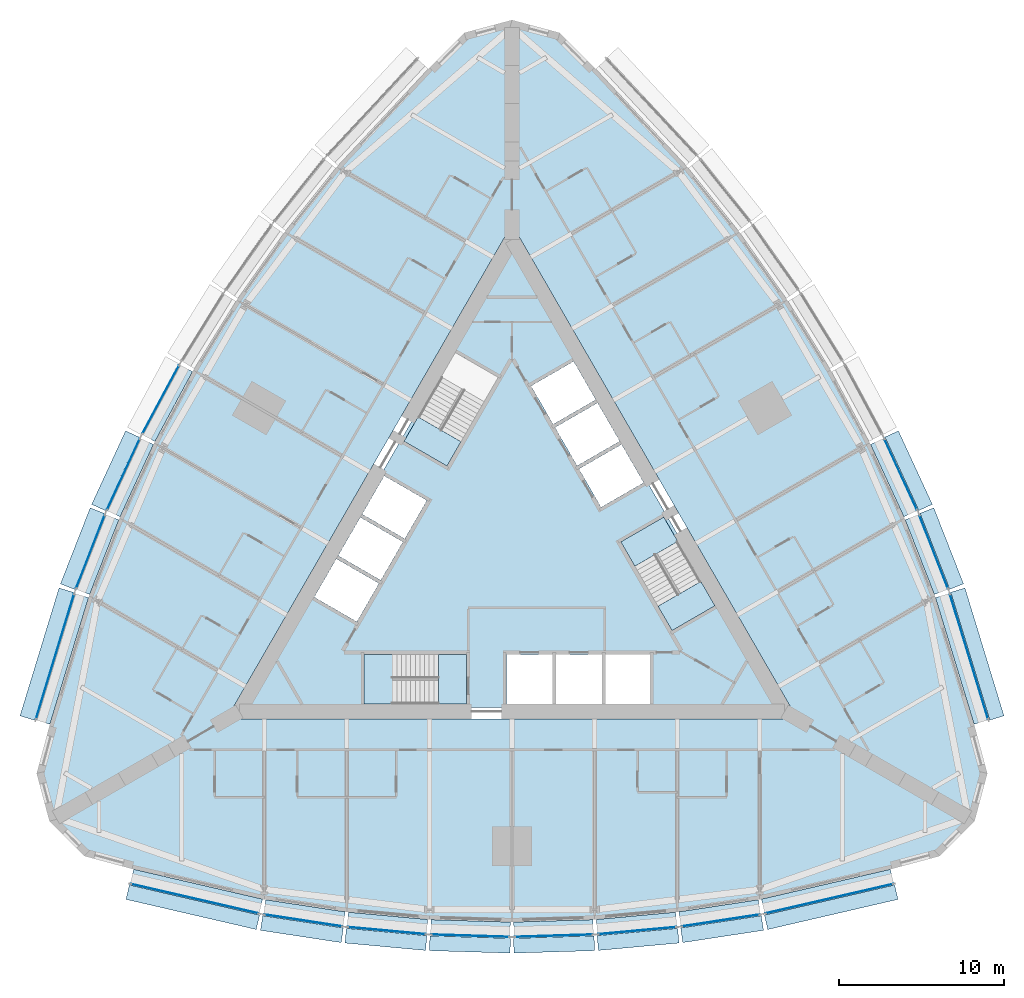
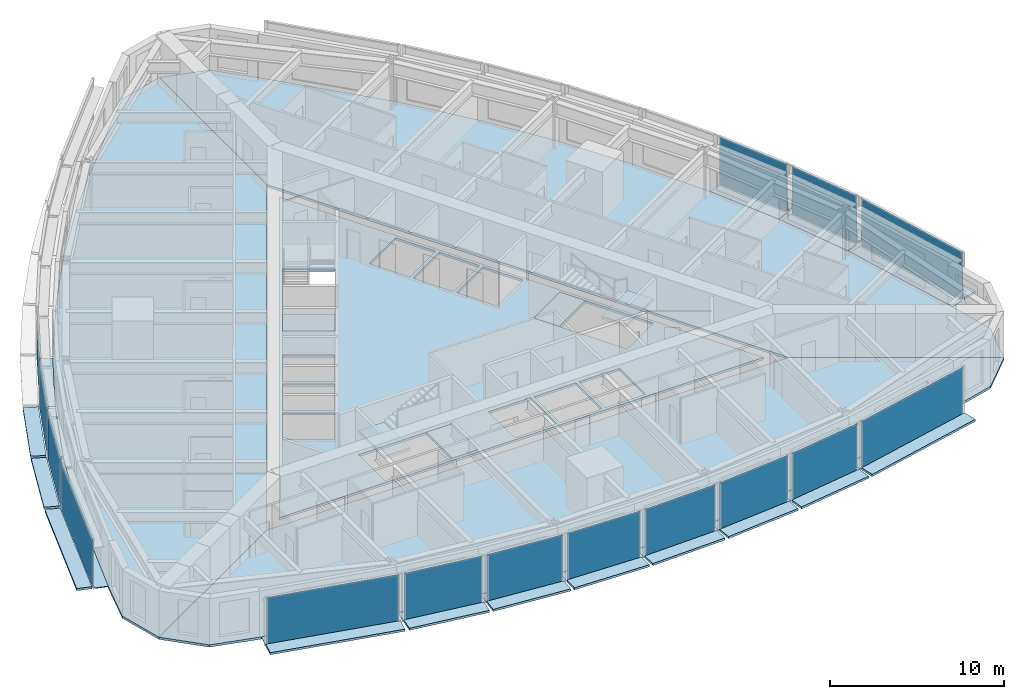
# One storey, part 6 of 14: 44 plates, 9 slabs, 18 elements without a shape of their own.
"""IFC4 building model written with IfcOpenShell, lengths in metres."""

from ifc_helpers import new_model, si_unit, direction, frame, origin, origin_2d, place, context, subcontext, project, spatial, polyline, rectangle, outline, extrude, material, layer, layer_set, type_object, element, aggregate, save


model = new_model("IFC4")

# Units and contexts
model_context = context("Model", 3, precision=1e-05, world=origin(), true_north=direction((0.0, 1.0)))
body_context = subcontext(model_context, "Body", "Model", "MODEL_VIEW")
ifc_project = project(units=[si_unit("LENGTHUNIT", "METRE"), si_unit("AREAUNIT", "SQUARE_METRE"), si_unit("VOLUMEUNIT", "CUBIC_METRE"), si_unit("PLANEANGLEUNIT", "RADIAN"), si_unit("MASSUNIT", "GRAM", prefix="KILO")], contexts=[model_context])

# Site, building, storey
site_placement = place(None, origin())
site = spatial("IfcSite", under=ifc_project, at=site_placement, CompositionType="ELEMENT")
building_placement = place(site_placement, origin())
building = spatial("IfcBuilding", under=site, at=building_placement, Name="Trikona Tower", CompositionType="ELEMENT")
storey_placement = place(building_placement, frame((0.0, 0.0, 38.699951171875)))
storey = spatial("IfcBuildingStorey", under=building, at=storey_placement, Name="L08", CompositionType="ELEMENT", Elevation=38.699951171875)

# Plates
ifc_material_1 = material(Name="Aluminium bar grating", Category="aluminium")
ifc_layer_1 = layer(ifc_material_1, 0.050048828125)
ifc_layer_set_1 = layer_set([ifc_layer_1], Name="Cavity catwalk grating")
plate_type_1 = type_object("IfcPlateType", Name="Cavity catwalk grating", PredefinedType="USERDEFINED", material=ifc_layer_set_1)
plate_1_placement = place(storey_placement, frame((-19.09228515625, -20.377197265625, -0.0498046875), z_axis=(0.0, 0.0, 1.0), x_axis=(0.974277718622, -0.225350675607, 0.0)))
element("IfcPlate", 1, at=plate_1_placement, inside=storey, type_object=plate_type_1, Name="Cavity catwalk L08-00", ObjectType="CATWALK GRATING", PredefinedType="USERDEFINED", context=body_context, shape_type="SweptSolid", body=[
    extrude(rectangle(XDim=8.01123046875, YDim=0.820068359375, at=origin_2d()), origin(), (0.0, 0.0, 1.0), 0.050048828125),
])
plate_2_placement = place(storey_placement, frame((-12.561767578125, -21.688720703125, -0.0498046875), z_axis=(0.0, 0.0, 1.0), x_axis=(0.988617896768, -0.150448177754, 0.0)))
element("IfcPlate", 2, at=plate_2_placement, inside=storey, type_object=plate_type_1, Name="Cavity catwalk L08-01", ObjectType="CATWALK GRATING", PredefinedType="USERDEFINED", context=body_context, shape_type="SweptSolid", body=[
    extrude(rectangle(XDim=4.857666015625, YDim=0.820068359375, at=origin_2d()), origin(), (0.0, 0.0, 1.0), 0.050048828125),
])
plate_3_placement = place(storey_placement, frame((-7.537353515625, -22.300537109375, -0.0498046875), z_axis=(0.0, 0.0, 1.0), x_axis=(0.995858098326, -0.090921108655, 0.0)))
element("IfcPlate", 3, at=plate_3_placement, inside=storey, type_object=plate_type_1, Name="Cavity catwalk L08-02", ObjectType="CATWALK GRATING", PredefinedType="USERDEFINED", context=body_context, shape_type="SweptSolid", body=[
    extrude(rectangle(XDim=4.82080078125, YDim=0.820068359375, at=origin_2d()), origin(), (0.0, 0.0, 1.0), 0.050048828125),
])
for number, where, z_axis, x_axis, name in (
    (4, (-2.512451171875, -22.606201171875, -0.0498046875), (0.0, 0.0, 1.0), (0.999537048889, -0.030425119525, 0.0), "Cavity catwalk L08-03"),
    (5, (2.512451171875, -22.606201171875, -0.0498046875), (0.0, 0.0, 1.0), (0.999537048889, 0.030425119525, 0.0), "Cavity catwalk L08-04"),
):
    element("IfcPlate", number, at=place(storey_placement, frame(where, z_axis=z_axis, x_axis=x_axis)), inside=storey, type_object=plate_type_1, Name=name, ObjectType="CATWALK GRATING", PredefinedType="USERDEFINED", context=body_context, shape_type="SweptSolid", body=[
        extrude(rectangle(XDim=4.80224609375, YDim=0.820068359375, at=origin_2d()), origin(), (0.0, 0.0, 1.0), 0.050048828125),
    ])
plate_4_placement = place(storey_placement, frame((7.537353515625, -22.300537109375, -0.0498046875), z_axis=(0.0, 0.0, 1.0), x_axis=(0.995858098326, 0.090921108655, 0.0)))
element("IfcPlate", 6, at=plate_4_placement, inside=storey, type_object=plate_type_1, Name="Cavity catwalk L08-05", ObjectType="CATWALK GRATING", PredefinedType="USERDEFINED", context=body_context, shape_type="SweptSolid", body=[
    extrude(rectangle(XDim=4.82080078125, YDim=0.820068359375, at=origin_2d()), origin(), (0.0, 0.0, 1.0), 0.050048828125),
])
plate_5_placement = place(storey_placement, frame((12.561767578125, -21.688720703125, -0.0498046875), z_axis=(0.0, 0.0, 1.0), x_axis=(0.988617896768, 0.150448177754, 0.0)))
element("IfcPlate", 7, at=plate_5_placement, inside=storey, type_object=plate_type_1, Name="Cavity catwalk L08-06", ObjectType="CATWALK GRATING", PredefinedType="USERDEFINED", context=body_context, shape_type="SweptSolid", body=[
    extrude(rectangle(XDim=4.857666015625, YDim=0.820068359375, at=origin_2d()), origin(), (0.0, 0.0, 1.0), 0.050048828125),
])
for number, where, z_axis, x_axis, name in (
    (8, (19.09228515625, -20.377197265625, -0.0498046875), (0.0, 0.0, 1.0), (0.974277718622, 0.225350675607, 0.0), "Cavity catwalk L08-07"),
    (9, (27.193359375, -6.345947265625, -0.0498046875), (0.0, 0.0, 1.0), (-0.291979449475, 0.956424592471, 0.0), "Cavity catwalk L08-12"),
):
    element("IfcPlate", number, at=place(storey_placement, frame(where, z_axis=z_axis, x_axis=x_axis)), inside=storey, type_object=plate_type_1, Name=name, ObjectType="CATWALK GRATING", PredefinedType="USERDEFINED", context=body_context, shape_type="SweptSolid", body=[
        extrude(rectangle(XDim=8.01123046875, YDim=0.820068359375, at=origin_2d()), origin(), (0.0, 0.0, 1.0), 0.050048828125),
    ])
plate_6_placement = place(storey_placement, frame((25.06396484375, -0.034423828125, -0.0498046875), z_axis=(0.0, 0.0, 1.0), x_axis=(-0.364008876551, 0.931395478726, 0.0)))
element("IfcPlate", 10, at=plate_6_placement, inside=storey, type_object=plate_type_1, Name="Cavity catwalk L08-13", ObjectType="CATWALK GRATING", PredefinedType="USERDEFINED", context=body_context, shape_type="SweptSolid", body=[
    extrude(rectangle(XDim=4.857666015625, YDim=0.820068359375, at=origin_2d()), origin(), (0.0, 0.0, 1.0), 0.050048828125),
])
plate_7_placement = place(storey_placement, frame((23.081298828125, 4.622802734375, -0.0498046875), z_axis=(0.0, 0.0, 1.0), x_axis=(-0.41919381307, 0.907896771161, 0.0)))
element("IfcPlate", 11, at=plate_7_placement, inside=storey, type_object=plate_type_1, Name="Cavity catwalk L08-14", ObjectType="CATWALK GRATING", PredefinedType="USERDEFINED", context=body_context, shape_type="SweptSolid", body=[
    extrude(rectangle(XDim=4.82080078125, YDim=0.820068359375, at=origin_2d()), origin(), (0.0, 0.0, 1.0), 0.050048828125),
])
plate_8_placement = place(storey_placement, frame((-20.833740234375, 9.127197265625, -0.0498046875), z_axis=(0.0, 0.0, 1.0), x_axis=(-0.473422672721, -0.880835383572, 0.0)))
element("IfcPlate", 12, at=plate_8_placement, inside=storey, type_object=plate_type_1, Name="Cavity catwalk L08-28", ObjectType="CATWALK GRATING", PredefinedType="USERDEFINED", context=body_context, shape_type="SweptSolid", body=[
    extrude(rectangle(XDim=4.80224609375, YDim=0.820068359375, at=origin_2d()), origin(), (0.0, 0.0, 1.0), 0.050048828125),
])
plate_9_placement = place(storey_placement, frame((-23.081298828125, 4.622802734375, -0.0498046875), z_axis=(0.0, 0.0, 1.0), x_axis=(-0.41919381307, -0.907896771161, 0.0)))
element("IfcPlate", 13, at=plate_9_placement, inside=storey, type_object=plate_type_1, Name="Cavity catwalk L08-29", ObjectType="CATWALK GRATING", PredefinedType="USERDEFINED", context=body_context, shape_type="SweptSolid", body=[
    extrude(rectangle(XDim=4.82080078125, YDim=0.820068359375, at=origin_2d()), origin(), (0.0, 0.0, 1.0), 0.050048828125),
])
plate_10_placement = place(storey_placement, frame((-25.06396484375, -0.034423828125, -0.0498046875), z_axis=(0.0, 0.0, 1.0), x_axis=(-0.364008876551, -0.931395478726, 0.0)))
element("IfcPlate", 14, at=plate_10_placement, inside=storey, type_object=plate_type_1, Name="Cavity catwalk L08-30", ObjectType="CATWALK GRATING", PredefinedType="USERDEFINED", context=body_context, shape_type="SweptSolid", body=[
    extrude(rectangle(XDim=4.857666015625, YDim=0.820068359375, at=origin_2d()), origin(), (0.0, 0.0, 1.0), 0.050048828125),
])
plate_11_placement = place(storey_placement, frame((-27.193359375, -6.345947265625, -0.0498046875), z_axis=(0.0, 0.0, 1.0), x_axis=(-0.291979449475, -0.956424592471, 0.0)))
element("IfcPlate", 15, at=plate_11_placement, inside=storey, type_object=plate_type_1, Name="Cavity catwalk L08-31", ObjectType="CATWALK GRATING", PredefinedType="USERDEFINED", context=body_context, shape_type="SweptSolid", body=[
    extrude(rectangle(XDim=8.01123046875, YDim=0.820068359375, at=origin_2d()), origin(), (0.0, 0.0, 1.0), 0.050048828125),
])

# Slabs
ifc_material_2 = material(Name="Concrete f'c 5000 psi lightweight on composite steel deck", Category="concrete")
ifc_layer_2 = layer(ifc_material_2, 0.1650390625)
ifc_layer_set_2 = layer_set([ifc_layer_2], Name="Composite floor slab 165")
slab_type_1 = type_object("IfcSlabType", Name="Composite floor slab 165", PredefinedType="FLOOR", material=ifc_layer_set_2)
slab_1_placement = place(storey_placement, frame((0.0, 0.0, -0.1650390625)))
element("IfcSlab", 16, at=slab_1_placement, inside=storey, type_object=slab_type_1, Name="Floor slab L08 core", PredefinedType="FLOOR", context=body_context, shape_type="SweptSolid", body=[
    extrude(outline(polyline([(-16.06689453125, -9.2763671875), (16.06689453125, -9.2763671875), (0.0, 18.552490234375), (-16.06689453125, -9.2763671875)]), holes=[polyline([(12.285400390625, -3.126220703125), (9.185302734375, 2.2431640625), (6.587158203125, 0.7431640625), (9.687255859375, -4.626220703125), (12.285400390625, -3.126220703125)]), polyline([(8.340087890625, -9.06640625), (8.340087890625, -6.086181640625), (5.659912109375, -6.086181640625), (5.659912109375, -9.06640625), (8.340087890625, -9.06640625)]), polyline([(5.390869140625, 2.835205078125), (7.9716796875, 4.3251953125), (6.631591796875, 6.646240234375), (4.05078125, 5.15625), (5.390869140625, 2.835205078125)]), polyline([(2.600830078125, 7.667724609375), (3.94091796875, 5.3466796875), (6.521484375, 6.8369140625), (5.181640625, 9.15771484375), (2.600830078125, 7.667724609375)]), polyline([(5.43994140625, -6.086181640625), (2.659912109375, -6.086181640625), (2.659912109375, -9.06640625), (5.43994140625, -9.06640625), (5.43994140625, -6.086181640625)]), polyline([(3.731689453125, 11.669189453125), (1.15087890625, 10.17919921875), (2.490966796875, 7.858154296875), (5.071533203125, 9.34814453125), (3.731689453125, 11.669189453125)]), polyline([(-0.340087890625, -6.086181640625), (-0.340087890625, -9.06640625), (2.43994140625, -9.06640625), (2.43994140625, -6.086181640625), (-0.340087890625, -6.086181640625)]), polyline([(-3.435302734375, 12.202392578125), (-6.535400390625, 6.8330078125), (-3.937255859375, 5.3330078125), (-0.837158203125, 10.702392578125), (-3.435302734375, 12.202392578125)]), polyline([(-8.949951171875, -9.076416015625), (-2.75, -9.076416015625), (-2.75, -6.076416015625), (-8.949951171875, -6.076416015625), (-8.949951171875, -9.076416015625)]), polyline([(-5.15087890625, 3.2509765625), (-7.731689453125, 4.740966796875), (-9.071533203125, 2.419921875), (-6.490966796875, 0.929931640625), (-5.15087890625, 3.2509765625)]), polyline([(-7.94091796875, -1.581298828125), (-6.600830078125, 0.739501953125), (-9.181640625, 2.2294921875), (-10.521484375, -0.09130859375), (-7.94091796875, -1.581298828125)]), polyline([(-11.9716796875, -2.602783203125), (-9.390869140625, -4.093017578125), (-8.05078125, -1.77197265625), (-10.631591796875, -0.281982421875), (-11.9716796875, -2.602783203125)])]), origin(), (0.0, 0.0, 1.0), 0.1650390625),
])
slab_2_placement = place(storey_placement, frame((0.0, 0.0, -0.1650390625)))
element("IfcSlab", 17, at=slab_2_placement, inside=storey, type_object=slab_type_1, Name="Floor slab L08 south", PredefinedType="FLOOR", context=body_context, shape_type="SweptSolid", body=[
    extrude(outline(polyline([(25.88671875, -18.279052734375), (28.0, -16.165771484375), (17.279296875, -9.976318359375), (-17.279296875, -9.976318359375), (-28.0, -16.165771484375), (-25.88671875, -18.279052734375), (-23.0, -19.052490234375), (-15.0, -20.903076171875), (-10.0, -21.663818359375), (-5.0, -22.120361328125), (0.0, -22.272705078125), (5.0, -22.120361328125), (10.0, -21.663818359375), (15.0, -20.903076171875), (23.0, -19.052490234375), (25.88671875, -18.279052734375)])), origin(), (0.0, 0.0, 1.0), 0.1650390625),
])
slab_3_placement = place(storey_placement, frame((0.0, 0.0, -0.1650390625)))
element("IfcSlab", 18, at=slab_3_placement, inside=storey, type_object=slab_type_1, Name="Floor slab L08 north-east", PredefinedType="FLOOR", context=body_context, shape_type="SweptSolid", body=[
    extrude(outline(polyline([(2.88671875, 31.55810546875), (0.0, 32.33154296875), (0.0, 19.95263671875), (17.279296875, -9.976318359375), (28.0, -16.165771484375), (28.7734375, -13.279052734375), (28.0, -10.392333984375), (25.6025390625, -2.538818359375), (23.761474609375, 2.171630859375), (21.65673828125, 6.72998046875), (19.28857421875, 11.13623046875), (16.65673828125, 15.390380859375), (13.761474609375, 19.4921875), (10.6025390625, 23.44189453125), (5.0, 29.44482421875), (2.88671875, 31.55810546875)])), origin(), (0.0, 0.0, 1.0), 0.1650390625),
])
slab_4_placement = place(storey_placement, frame((0.0, 0.0, -0.1650390625)))
element("IfcSlab", 19, at=slab_4_placement, inside=storey, type_object=slab_type_1, Name="Floor slab L08 north-west", PredefinedType="FLOOR", context=body_context, shape_type="SweptSolid", body=[
    extrude(outline(polyline([(0.0, 19.95263671875), (0.0, 32.33154296875), (-2.88671875, 31.55810546875), (-5.0, 29.44482421875), (-10.6025390625, 23.44189453125), (-13.761474609375, 19.4921875), (-16.65673828125, 15.390380859375), (-19.28857421875, 11.13623046875), (-21.65673828125, 6.72998046875), (-23.761474609375, 2.171630859375), (-25.6025390625, -2.538818359375), (-28.0, -10.392333984375), (-28.7734375, -13.279052734375), (-28.0, -16.165771484375), (-17.279296875, -9.976318359375), (0.0, 19.95263671875)])), origin(), (0.0, 0.0, 1.0), 0.1650390625),
])

# Curtain wall, plate
ifc_material_3 = material(Name="Aluminium curtain wall system", Category="aluminium")
curtain_wall_type = type_object("IfcCurtainWallType", Name="Curtain wall DS1", PredefinedType="NOTDEFINED", material=ifc_material_3)
curtain_wall_1_placement = place(storey_placement, origin())
curtain_wall_1 = element("IfcCurtainWall", 20, at=curtain_wall_1_placement, inside=storey, type_object=curtain_wall_type, Name="Curtain wall DS1 L08", PredefinedType="NOTDEFINED")
ifc_material_4 = material(Name="Laminated clear glass", Category="glass")
ifc_layer_3 = layer(ifc_material_4, 0.028076171875)
ifc_layer_set_3 = layer_set([ifc_layer_3], Name="Glass panel DS1")
plate_type_2 = type_object("IfcPlateType", Name="Glass panel DS1", PredefinedType="CURTAIN_PANEL", material=ifc_layer_set_3)
plate_12_placement = place(storey_placement, frame((-19.202880859375, -20.854736328125, 0.0), z_axis=(0.0, 0.0, 1.0), x_axis=(0.974279427173, -0.225343288756, 0.0)))
plate_12 = element("IfcPlate", 21, at=plate_12_placement, type_object=plate_type_2, Name="CW-DS1 panel 1.1", PredefinedType="CURTAIN_PANEL", context=body_context, shape_type="SweptSolid", body=[
    extrude(rectangle(XDim=7.93115234375, YDim=0.028076171875, at=origin_2d()), origin(), (0.0, 0.0, 1.0), 3.320068359375),
])
aggregate(curtain_wall_1, [plate_12])

curtain_wall_2_placement = place(storey_placement, origin())
curtain_wall_2 = element("IfcCurtainWall", 22, at=curtain_wall_2_placement, inside=storey, type_object=curtain_wall_type, Name="Curtain wall DS1 L08", PredefinedType="NOTDEFINED")
plate_13_placement = place(storey_placement, frame((-12.635498046875, -22.173095703125, 0.0), z_axis=(0.0, 0.0, 1.0), x_axis=(0.988619492156, -0.150437693845, 0.0)))
plate_13 = element("IfcPlate", 23, at=plate_13_placement, type_object=plate_type_2, Name="CW-DS1 panel 1.1", PredefinedType="CURTAIN_PANEL", context=body_context, shape_type="SweptSolid", body=[
    extrude(rectangle(XDim=4.777587890625, YDim=0.028076171875, at=origin_2d()), origin(), (0.0, 0.0, 1.0), 3.320068359375),
])
aggregate(curtain_wall_2, [plate_13])

curtain_wall_3_placement = place(storey_placement, origin())
curtain_wall_3 = element("IfcCurtainWall", 24, at=curtain_wall_3_placement, inside=storey, type_object=curtain_wall_type, Name="Curtain wall DS1 L08", PredefinedType="NOTDEFINED")
plate_14_placement = place(storey_placement, frame((-7.581787109375, -22.788330078125, 0.0), z_axis=(0.0, 0.0, 1.0), x_axis=(0.995857840485, -0.090923932737, 0.0)))
plate_14 = element("IfcPlate", 25, at=plate_14_placement, type_object=plate_type_2, Name="CW-DS1 panel 1.1", PredefinedType="CURTAIN_PANEL", context=body_context, shape_type="SweptSolid", body=[
    extrude(rectangle(XDim=4.74072265625, YDim=0.028076171875, at=origin_2d()), origin(), (0.0, 0.0, 1.0), 3.320068359375),
])
aggregate(curtain_wall_3, [plate_14])

curtain_wall_4_placement = place(storey_placement, origin())
curtain_wall_4 = element("IfcCurtainWall", 26, at=curtain_wall_4_placement, inside=storey, type_object=curtain_wall_type, Name="Curtain wall DS1 L08", PredefinedType="NOTDEFINED")
plate_15_placement = place(storey_placement, frame((-2.52734375, -23.09619140625, 0.0), z_axis=(0.0, 0.0, 1.0), x_axis=(0.999536695965, -0.030436711692, 0.0)))
plate_15 = element("IfcPlate", 27, at=plate_15_placement, type_object=plate_type_2, Name="CW-DS1 panel 1.1", PredefinedType="CURTAIN_PANEL", context=body_context, shape_type="SweptSolid", body=[
    extrude(rectangle(XDim=4.72216796875, YDim=0.028076171875, at=origin_2d()), origin(), (0.0, 0.0, 1.0), 3.320068359375),
])
aggregate(curtain_wall_4, [plate_15])

curtain_wall_5_placement = place(storey_placement, origin())
curtain_wall_5 = element("IfcCurtainWall", 28, at=curtain_wall_5_placement, inside=storey, type_object=curtain_wall_type, Name="Curtain wall DS1 L08", PredefinedType="NOTDEFINED")
plate_16_placement = place(storey_placement, frame((2.52734375, -23.09619140625, 0.0), z_axis=(0.0, 0.0, 1.0), x_axis=(0.999536695965, 0.030436711692, 0.0)))
plate_16 = element("IfcPlate", 29, at=plate_16_placement, type_object=plate_type_2, Name="CW-DS1 panel 1.1", PredefinedType="CURTAIN_PANEL", context=body_context, shape_type="SweptSolid", body=[
    extrude(rectangle(XDim=4.72216796875, YDim=0.028076171875, at=origin_2d()), origin(), (0.0, 0.0, 1.0), 3.320068359375),
])
aggregate(curtain_wall_5, [plate_16])

curtain_wall_6_placement = place(storey_placement, origin())
curtain_wall_6 = element("IfcCurtainWall", 30, at=curtain_wall_6_placement, inside=storey, type_object=curtain_wall_type, Name="Curtain wall DS1 L08", PredefinedType="NOTDEFINED")
plate_17_placement = place(storey_placement, frame((7.581787109375, -22.788330078125, 0.0), z_axis=(0.0, 0.0, 1.0), x_axis=(0.995857840485, 0.090923932737, 0.0)))
plate_17 = element("IfcPlate", 31, at=plate_17_placement, type_object=plate_type_2, Name="CW-DS1 panel 1.1", PredefinedType="CURTAIN_PANEL", context=body_context, shape_type="SweptSolid", body=[
    extrude(rectangle(XDim=4.74072265625, YDim=0.028076171875, at=origin_2d()), origin(), (0.0, 0.0, 1.0), 3.320068359375),
])
aggregate(curtain_wall_6, [plate_17])

curtain_wall_7_placement = place(storey_placement, origin())
curtain_wall_7 = element("IfcCurtainWall", 32, at=curtain_wall_7_placement, inside=storey, type_object=curtain_wall_type, Name="Curtain wall DS1 L08", PredefinedType="NOTDEFINED")
plate_18_placement = place(storey_placement, frame((12.635498046875, -22.173095703125, 0.0), z_axis=(0.0, 0.0, 1.0), x_axis=(0.988619492156, 0.150437693845, 0.0)))
plate_18 = element("IfcPlate", 33, at=plate_18_placement, type_object=plate_type_2, Name="CW-DS1 panel 1.1", PredefinedType="CURTAIN_PANEL", context=body_context, shape_type="SweptSolid", body=[
    extrude(rectangle(XDim=4.777587890625, YDim=0.028076171875, at=origin_2d()), origin(), (0.0, 0.0, 1.0), 3.320068359375),
])
aggregate(curtain_wall_7, [plate_18])

curtain_wall_8_placement = place(storey_placement, origin())
curtain_wall_8 = element("IfcCurtainWall", 34, at=curtain_wall_8_placement, inside=storey, type_object=curtain_wall_type, Name="Curtain wall DS1 L08", PredefinedType="NOTDEFINED")
plate_19_placement = place(storey_placement, frame((19.202880859375, -20.854736328125, 0.0), z_axis=(0.0, 0.0, 1.0), x_axis=(0.974279427173, 0.225343288756, 0.0)))
plate_19 = element("IfcPlate", 35, at=plate_19_placement, type_object=plate_type_2, Name="CW-DS1 panel 1.1", PredefinedType="CURTAIN_PANEL", context=body_context, shape_type="SweptSolid", body=[
    extrude(rectangle(XDim=7.93115234375, YDim=0.028076171875, at=origin_2d()), origin(), (0.0, 0.0, 1.0), 3.320068359375),
])
aggregate(curtain_wall_8, [plate_19])

curtain_wall_9_placement = place(storey_placement, origin())
curtain_wall_9 = element("IfcCurtainWall", 36, at=curtain_wall_9_placement, inside=storey, type_object=curtain_wall_type, Name="Curtain wall DS1 L08", PredefinedType="NOTDEFINED")
plate_20_placement = place(storey_placement, frame((27.662109375, -6.202880859375, 0.0), z_axis=(0.0, 0.0, 1.0), x_axis=(-0.291984287868, 0.956423115383, 0.0)))
plate_20 = element("IfcPlate", 37, at=plate_20_placement, type_object=plate_type_2, Name="CW-DS1 panel 1.1", PredefinedType="CURTAIN_PANEL", context=body_context, shape_type="SweptSolid", body=[
    extrude(rectangle(XDim=7.93115234375, YDim=0.028076171875, at=origin_2d()), origin(), (0.0, 0.0, 1.0), 3.320068359375),
])
aggregate(curtain_wall_9, [plate_20])

curtain_wall_10_placement = place(storey_placement, origin())
curtain_wall_10 = element("IfcCurtainWall", 38, at=curtain_wall_10_placement, inside=storey, type_object=curtain_wall_type, Name="Curtain wall DS1 L08", PredefinedType="NOTDEFINED")
plate_21_placement = place(storey_placement, frame((25.520263671875, 0.14404296875, 0.0), z_axis=(0.0, 0.0, 1.0), x_axis=(-0.36400756977, 0.931395989443, 0.0)))
plate_21 = element("IfcPlate", 39, at=plate_21_placement, type_object=plate_type_2, Name="CW-DS1 panel 1.1", PredefinedType="CURTAIN_PANEL", context=body_context, shape_type="SweptSolid", body=[
    extrude(rectangle(XDim=4.777587890625, YDim=0.028076171875, at=origin_2d()), origin(), (0.0, 0.0, 1.0), 3.320068359375),
])
aggregate(curtain_wall_10, [plate_21])

curtain_wall_11_placement = place(storey_placement, origin())
curtain_wall_11 = element("IfcCurtainWall", 40, at=curtain_wall_11_placement, inside=storey, type_object=curtain_wall_type, Name="Curtain wall DS1 L08", PredefinedType="NOTDEFINED")
plate_22_placement = place(storey_placement, frame((23.5263671875, 4.828125, 0.0), z_axis=(0.0, 0.0, 1.0), x_axis=(-0.419190155352, 0.907898459992, 0.0)))
plate_22 = element("IfcPlate", 41, at=plate_22_placement, type_object=plate_type_2, Name="CW-DS1 panel 1.1", PredefinedType="CURTAIN_PANEL", context=body_context, shape_type="SweptSolid", body=[
    extrude(rectangle(XDim=4.740966796875, YDim=0.028076171875, at=origin_2d()), origin(), (0.0, 0.0, 1.0), 3.320068359375),
])
aggregate(curtain_wall_11, [plate_22])

curtain_wall_12_placement = place(storey_placement, origin())
curtain_wall_12 = element("IfcCurtainWall", 42, at=curtain_wall_12_placement, inside=storey, type_object=curtain_wall_type, Name="Curtain wall DS1 L08", PredefinedType="NOTDEFINED")
plate_23_placement = place(storey_placement, frame((-21.265380859375, 9.359130859375, 0.0), z_axis=(0.0, 0.0, 1.0), x_axis=(-0.473408350896, -0.880843080975, 0.0)))
plate_23 = element("IfcPlate", 43, at=plate_23_placement, type_object=plate_type_2, Name="CW-DS1 panel 1.1", PredefinedType="CURTAIN_PANEL", context=body_context, shape_type="SweptSolid", body=[
    extrude(rectangle(XDim=4.72216796875, YDim=0.028076171875, at=origin_2d()), origin(), (0.0, 0.0, 1.0), 3.320068359375),
])
aggregate(curtain_wall_12, [plate_23])

curtain_wall_13_placement = place(storey_placement, origin())
curtain_wall_13 = element("IfcCurtainWall", 44, at=curtain_wall_13_placement, inside=storey, type_object=curtain_wall_type, Name="Curtain wall DS1 L08", PredefinedType="NOTDEFINED")
plate_24_placement = place(storey_placement, frame((-23.5263671875, 4.828125, 0.0), z_axis=(0.0, 0.0, 1.0), x_axis=(-0.419190155352, -0.907898459992, 0.0)))
plate_24 = element("IfcPlate", 45, at=plate_24_placement, type_object=plate_type_2, Name="CW-DS1 panel 1.1", PredefinedType="CURTAIN_PANEL", context=body_context, shape_type="SweptSolid", body=[
    extrude(rectangle(XDim=4.740966796875, YDim=0.028076171875, at=origin_2d()), origin(), (0.0, 0.0, 1.0), 3.320068359375),
])
aggregate(curtain_wall_13, [plate_24])

curtain_wall_14_placement = place(storey_placement, origin())
curtain_wall_14 = element("IfcCurtainWall", 46, at=curtain_wall_14_placement, inside=storey, type_object=curtain_wall_type, Name="Curtain wall DS1 L08", PredefinedType="NOTDEFINED")
plate_25_placement = place(storey_placement, frame((-25.520263671875, 0.14404296875, 0.0), z_axis=(0.0, 0.0, 1.0), x_axis=(-0.36400756977, -0.931395989443, 0.0)))
plate_25 = element("IfcPlate", 47, at=plate_25_placement, type_object=plate_type_2, Name="CW-DS1 panel 1.1", PredefinedType="CURTAIN_PANEL", context=body_context, shape_type="SweptSolid", body=[
    extrude(rectangle(XDim=4.777587890625, YDim=0.028076171875, at=origin_2d()), origin(), (0.0, 0.0, 1.0), 3.320068359375),
])
aggregate(curtain_wall_14, [plate_25])

curtain_wall_15_placement = place(storey_placement, origin())
curtain_wall_15 = element("IfcCurtainWall", 48, at=curtain_wall_15_placement, inside=storey, type_object=curtain_wall_type, Name="Curtain wall DS1 L08", PredefinedType="NOTDEFINED")
plate_26_placement = place(storey_placement, frame((-27.662109375, -6.202880859375, 0.0), z_axis=(0.0, 0.0, 1.0), x_axis=(-0.291984287868, -0.956423115383, 0.0)))
plate_26 = element("IfcPlate", 49, at=plate_26_placement, type_object=plate_type_2, Name="CW-DS1 panel 1.1", PredefinedType="CURTAIN_PANEL", context=body_context, shape_type="SweptSolid", body=[
    extrude(rectangle(XDim=7.93115234375, YDim=0.028076171875, at=origin_2d()), origin(), (0.0, 0.0, 1.0), 3.320068359375),
])
aggregate(curtain_wall_15, [plate_26])

# Plates
ifc_material_5 = material(Name="Aluminium plate fin, pale anodised, on stainless steel outriggers", Category="steel")
ifc_layer_4 = layer(ifc_material_5, 0.14990234375)
ifc_layer_set_4 = layer_set([ifc_layer_4], Name="Outer skin fin 900")
plate_type_3 = type_object("IfcPlateType", Name="Outer skin fin 900", PredefinedType="USERDEFINED", material=ifc_layer_set_4)
plate_27_placement = place(storey_placement, frame((-19.322265625, -21.37109375, 0.0), z_axis=(0.0, 0.0, 1.0), x_axis=(0.974277718622, -0.225350675607, 0.0)))
element("IfcPlate", 50, at=plate_27_placement, inside=storey, type_object=plate_type_3, Name="Outer skin fin L08-00", ObjectType="FIN", PredefinedType="USERDEFINED", context=body_context, shape_type="SweptSolid", body=[
    extrude(rectangle(XDim=8.09130859375, YDim=0.89990234375, at=origin_2d()), origin(), (0.0, 0.0, 1.0), 0.14990234375),
])
plate_28_placement = place(storey_placement, frame((-12.715087890625, -22.697265625, 0.0), z_axis=(0.0, 0.0, 1.0), x_axis=(0.988617896768, -0.150448177754, 0.0)))
element("IfcPlate", 51, at=plate_28_placement, inside=storey, type_object=plate_type_3, Name="Outer skin fin L08-01", ObjectType="FIN", PredefinedType="USERDEFINED", context=body_context, shape_type="SweptSolid", body=[
    extrude(rectangle(XDim=4.9375, YDim=0.89990234375, at=origin_2d()), origin(), (0.0, 0.0, 1.0), 0.14990234375),
])
plate_29_placement = place(storey_placement, frame((-7.6298828125, -23.316162109375, 0.0), z_axis=(0.0, 0.0, 1.0), x_axis=(0.995858098326, -0.090921108655, 0.0)))
element("IfcPlate", 52, at=plate_29_placement, inside=storey, type_object=plate_type_3, Name="Outer skin fin L08-02", ObjectType="FIN", PredefinedType="USERDEFINED", context=body_context, shape_type="SweptSolid", body=[
    extrude(rectangle(XDim=4.90087890625, YDim=0.89990234375, at=origin_2d()), origin(), (0.0, 0.0, 1.0), 0.14990234375),
])
for number, where, z_axis, x_axis, name in (
    (53, (-2.54345703125, -23.625732421875, 0.0), (0.0, 0.0, 1.0), (0.999537048889, -0.030425119525, 0.0), "Outer skin fin L08-03"),
    (54, (2.54345703125, -23.625732421875, 0.0), (0.0, 0.0, 1.0), (0.999537048889, 0.030425119525, 0.0), "Outer skin fin L08-04"),
):
    element("IfcPlate", number, at=place(storey_placement, frame(where, z_axis=z_axis, x_axis=x_axis)), inside=storey, type_object=plate_type_3, Name=name, ObjectType="FIN", PredefinedType="USERDEFINED", context=body_context, shape_type="SweptSolid", body=[
        extrude(rectangle(XDim=4.88232421875, YDim=0.89990234375, at=origin_2d()), origin(), (0.0, 0.0, 1.0), 0.14990234375),
    ])
plate_30_placement = place(storey_placement, frame((7.6298828125, -23.316162109375, 0.0), z_axis=(0.0, 0.0, 1.0), x_axis=(0.995858098326, 0.090921108655, 0.0)))
element("IfcPlate", 55, at=plate_30_placement, inside=storey, type_object=plate_type_3, Name="Outer skin fin L08-05", ObjectType="FIN", PredefinedType="USERDEFINED", context=body_context, shape_type="SweptSolid", body=[
    extrude(rectangle(XDim=4.90087890625, YDim=0.89990234375, at=origin_2d()), origin(), (0.0, 0.0, 1.0), 0.14990234375),
])
plate_31_placement = place(storey_placement, frame((12.715087890625, -22.697265625, 0.0), z_axis=(0.0, 0.0, 1.0), x_axis=(0.988617896768, 0.150448177754, 0.0)))
element("IfcPlate", 56, at=plate_31_placement, inside=storey, type_object=plate_type_3, Name="Outer skin fin L08-06", ObjectType="FIN", PredefinedType="USERDEFINED", context=body_context, shape_type="SweptSolid", body=[
    extrude(rectangle(XDim=4.9375, YDim=0.89990234375, at=origin_2d()), origin(), (0.0, 0.0, 1.0), 0.14990234375),
])
for number, where, z_axis, x_axis, name in (
    (57, (19.322265625, -21.37109375, 0.0), (0.0, 0.0, 1.0), (0.974277718622, 0.225350675607, 0.0), "Outer skin fin L08-07"),
    (58, (28.1689453125, -6.048095703125, 0.0), (0.0, 0.0, 1.0), (-0.291979449475, 0.956424592471, 0.0), "Outer skin fin L08-12"),
):
    element("IfcPlate", number, at=place(storey_placement, frame(where, z_axis=z_axis, x_axis=x_axis)), inside=storey, type_object=plate_type_3, Name=name, ObjectType="FIN", PredefinedType="USERDEFINED", context=body_context, shape_type="SweptSolid", body=[
        extrude(rectangle(XDim=8.09130859375, YDim=0.89990234375, at=origin_2d()), origin(), (0.0, 0.0, 1.0), 0.14990234375),
    ])
plate_32_placement = place(storey_placement, frame((26.013916015625, 0.3369140625, 0.0), z_axis=(0.0, 0.0, 1.0), x_axis=(-0.364008876551, 0.931395478726, 0.0)))
element("IfcPlate", 59, at=plate_32_placement, inside=storey, type_object=plate_type_3, Name="Outer skin fin L08-13", ObjectType="FIN", PredefinedType="USERDEFINED", context=body_context, shape_type="SweptSolid", body=[
    extrude(rectangle(XDim=4.9375, YDim=0.89990234375, at=origin_2d()), origin(), (0.0, 0.0, 1.0), 0.14990234375),
])
for number, where, z_axis, x_axis, name in (
    (60, (24.00732421875, 5.05029296875, 0.0), (0.0, 0.0, 1.0), (-0.41919381307, 0.907896771161, 0.0), "Outer skin fin L08-14"),
    (61, (-24.00732421875, 5.05029296875, 0.0), (0.0, 0.0, 1.0), (-0.41919381307, -0.907896771161, 0.0), "Outer skin fin L08-29"),
):
    element("IfcPlate", number, at=place(storey_placement, frame(where, z_axis=z_axis, x_axis=x_axis)), inside=storey, type_object=plate_type_3, Name=name, ObjectType="FIN", PredefinedType="USERDEFINED", context=body_context, shape_type="SweptSolid", body=[
        extrude(rectangle(XDim=4.90087890625, YDim=0.89990234375, at=origin_2d()), origin(), (0.0, 0.0, 1.0), 0.14990234375),
    ])
plate_33_placement = place(storey_placement, frame((-26.013916015625, 0.3369140625, 0.0), z_axis=(0.0, 0.0, 1.0), x_axis=(-0.364008876551, -0.931395478726, 0.0)))
element("IfcPlate", 62, at=plate_33_placement, inside=storey, type_object=plate_type_3, Name="Outer skin fin L08-30", ObjectType="FIN", PredefinedType="USERDEFINED", context=body_context, shape_type="SweptSolid", body=[
    extrude(rectangle(XDim=4.9375, YDim=0.89990234375, at=origin_2d()), origin(), (0.0, 0.0, 1.0), 0.14990234375),
])
plate_34_placement = place(storey_placement, frame((-28.1689453125, -6.048095703125, 0.0), z_axis=(0.0, 0.0, 1.0), x_axis=(-0.291979449475, -0.956424592471, 0.0)))
element("IfcPlate", 63, at=plate_34_placement, inside=storey, type_object=plate_type_3, Name="Outer skin fin L08-31", ObjectType="FIN", PredefinedType="USERDEFINED", context=body_context, shape_type="SweptSolid", body=[
    extrude(rectangle(XDim=8.09130859375, YDim=0.89990234375, at=origin_2d()), origin(), (0.0, 0.0, 1.0), 0.14990234375),
])

# Stair, slabs
ifc_material_6 = material(Name="Concrete f'c 5000 psi", Category="concrete")
stair_type = type_object("IfcStairType", Name="Core stair", PredefinedType="HALF_TURN_STAIR", material=ifc_material_6)
stair_1_placement = place(storey_placement, origin())
stair_1 = element("IfcStair", 64, at=stair_1_placement, inside=storey, type_object=stair_type, Name="Stair A L08", PredefinedType="HALF_TURN_STAIR")
ifc_material_7 = material(Name="Concrete f'c 5000 psi", Category="concrete")
ifc_layer_5 = layer(ifc_material_7, 0.199951171875)
ifc_layer_set_5 = layer_set([ifc_layer_5], Name="Stair landing 200")
slab_type_2 = type_object("IfcSlabType", Name="Stair landing 200", PredefinedType="LANDING", material=ifc_layer_set_5)
slab_5_placement = place(storey_placement, frame((0.0, 0.0, -0.199951171875)))
slab_5 = element("IfcSlab", 65, at=slab_5_placement, type_object=slab_type_2, Name="ST-A landing 1", PredefinedType="LANDING", context=body_context, shape_type="SweptSolid", body=[
    extrude(outline(polyline([(-4.452880859375, -6.076416015625), (-2.75, -6.076416015625), (-2.75, -9.076416015625), (-4.452880859375, -9.076416015625), (-4.452880859375, -6.076416015625)])), origin(), (0.0, 0.0, 1.0), 0.199951171875),
])
slab_6_placement = place(storey_placement, frame((0.0, 0.0, 1.5)))
slab_6 = element("IfcSlab", 66, at=slab_6_placement, type_object=slab_type_2, Name="ST-A landing 2", PredefinedType="LANDING", context=body_context, shape_type="SweptSolid", body=[
    extrude(outline(polyline([(-8.949951171875, -6.076416015625), (-7.2470703125, -6.076416015625), (-7.2470703125, -9.076416015625), (-8.949951171875, -9.076416015625), (-8.949951171875, -6.076416015625)])), origin(), (0.0, 0.0, 1.0), 0.199951171875),
])
aggregate(stair_1, [slab_5, slab_6])

stair_2_placement = place(storey_placement, origin())
stair_2 = element("IfcStair", 67, at=stair_2_placement, inside=storey, type_object=stair_type, Name="Stair B L08", PredefinedType="HALF_TURN_STAIR")
slab_7_placement = place(storey_placement, frame((0.0, 0.0, -0.199951171875)))
slab_7 = element("IfcSlab", 68, at=slab_7_placement, type_object=slab_type_2, Name="ST-B landing 1", PredefinedType="LANDING", context=body_context, shape_type="SweptSolid", body=[
    extrude(outline(polyline([(7.438720703125, -0.731689453125), (6.587158203125, 0.7431640625), (9.185302734375, 2.2431640625), (10.036865234375, 0.768310546875), (7.438720703125, -0.731689453125)])), origin(), (0.0, 0.0, 1.0), 0.199951171875),
])
slab_8_placement = place(storey_placement, frame((0.0, 0.0, 1.5)))
slab_8 = element("IfcSlab", 69, at=slab_8_placement, type_object=slab_type_2, Name="ST-B landing 2", PredefinedType="LANDING", context=body_context, shape_type="SweptSolid", body=[
    extrude(outline(polyline([(9.687255859375, -4.626220703125), (8.835693359375, -3.1513671875), (11.433837890625, -1.6513671875), (12.285400390625, -3.126220703125), (9.687255859375, -4.626220703125)])), origin(), (0.0, 0.0, 1.0), 0.199951171875),
])
aggregate(stair_2, [slab_7, slab_8])

# Stair, slab
stair_3_placement = place(storey_placement, origin())
stair_3 = element("IfcStair", 70, at=stair_3_placement, inside=storey, type_object=stair_type, Name="Stair C L08", PredefinedType="HALF_TURN_STAIR")
slab_9_placement = place(storey_placement, frame((0.0, 0.0, -0.199951171875)))
slab_9 = element("IfcSlab", 71, at=slab_9_placement, type_object=slab_type_2, Name="ST-C landing 1", PredefinedType="LANDING", context=body_context, shape_type="SweptSolid", body=[
    extrude(outline(polyline([(-3.085693359375, 6.807861328125), (-3.937255859375, 5.3330078125), (-6.535400390625, 6.8330078125), (-5.683837890625, 8.307861328125), (-3.085693359375, 6.807861328125)])), origin(), (0.0, 0.0, 1.0), 0.199951171875),
])
aggregate(stair_3, [slab_9])

save(model, "model.ifc")
